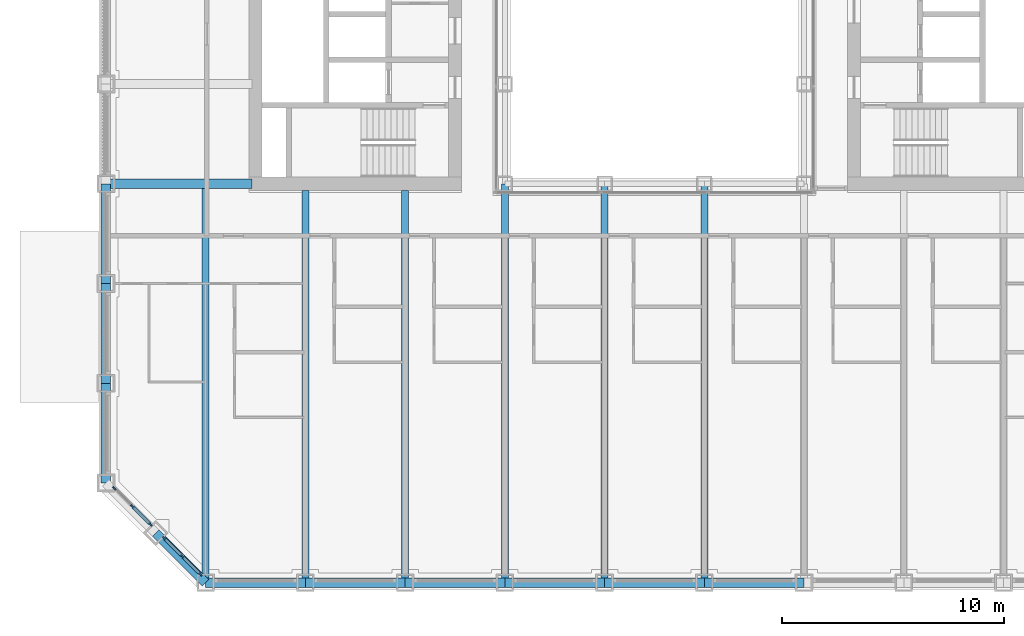
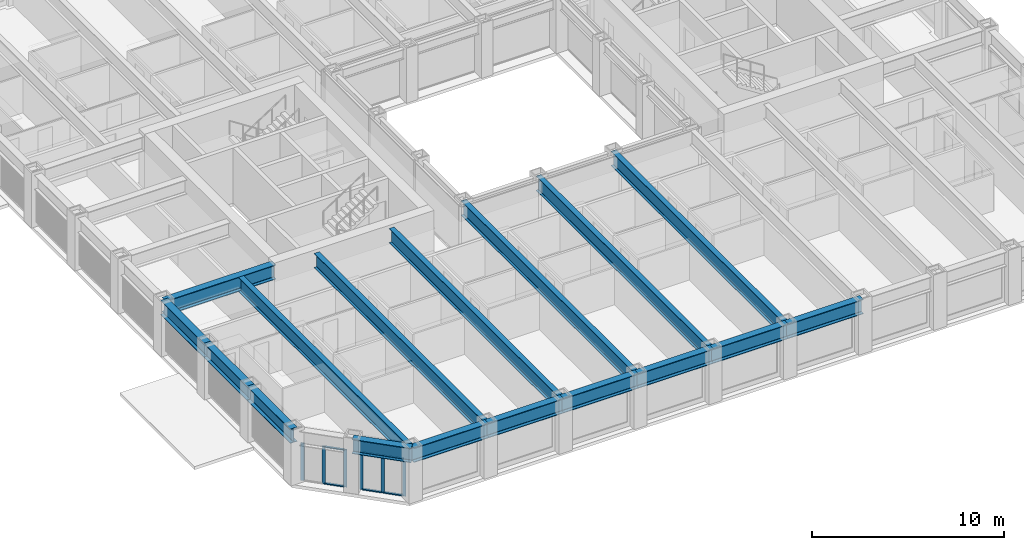
# One storey, part 2 of 24: 17 beams, 12 members, 2 elements without a shape of their own.
"""IFC4 building model written with IfcOpenShell, lengths in metres."""

from ifc_helpers import new_model, si_unit, direction, frame, origin, origin_2d, place, context, subcontext, project, spatial, rectangle, i_section, extrude, material, material_profile, profile_set, type_object, element, aggregate, save


model = new_model("IFC4")

# Units and contexts
model_context = context("Model", 3, precision=1e-05, world=origin(), true_north=direction((0.0, 1.0)))
body_context = subcontext(model_context, "Body", "Model", "MODEL_VIEW")
ifc_project = project(units=[si_unit("LENGTHUNIT", "METRE"), si_unit("AREAUNIT", "SQUARE_METRE"), si_unit("VOLUMEUNIT", "CUBIC_METRE"), si_unit("PLANEANGLEUNIT", "RADIAN"), si_unit("MASSUNIT", "GRAM", prefix="KILO")], contexts=[model_context])

# Site, building, storey
site_placement = place(None, origin())
site = spatial("IfcSite", under=ifc_project, at=site_placement, CompositionType="ELEMENT")
building_placement = place(site_placement, origin())
building = spatial("IfcBuilding", under=site, at=building_placement, Name="Msasa Ring Tower", CompositionType="ELEMENT")
storey_placement = place(building_placement, frame((0.0, 0.0, 26.5)))
storey = spatial("IfcBuildingStorey", under=building, at=storey_placement, Name="L05", CompositionType="ELEMENT", Elevation=26.5)

# Curtain wall, members
ifc_material_1 = material(Name="Aluminium curtain wall with clear glass", Category="aluminium")
curtain_wall_type = type_object("IfcCurtainWallType", Name="CW-C CHAMFER CORNER CURTAIN WALL", PredefinedType="NOTDEFINED", material=ifc_material_1)
curtain_wall_1_placement = place(storey_placement, origin())
curtain_wall_1 = element("IfcCurtainWall", 1, at=curtain_wall_1_placement, inside=storey, type_object=curtain_wall_type, Name="Chamfer corner curtain wall SW L05", PredefinedType="NOTDEFINED")
ifc_material_2 = material(Name="Aluminium mullion", Category="aluminium")
ifc_material_profile_1 = material_profile(ifc_material_2, rectangle(XDim=0.06494140625, YDim=0.179931640625, at=origin_2d()), Name="AL 65x180")
ifc_profile_set_1 = profile_set([ifc_material_profile_1], Name="Aluminium mullion")
member_type_1 = type_object("IfcMemberType", Name="CW-C MULLION 65x180", PredefinedType="MULLION", material=ifc_profile_set_1)
member_1_placement = place(storey_placement, frame((-24.369873046875, -20.48876953125, 0.0), z_axis=(0.0, 0.0, 1.0), x_axis=(0.707106781187, 0.707106781187, 0.0)))
member_1 = element("IfcMember", 2, at=member_1_placement, type_object=member_type_1, Name="CW-C mullion 1", PredefinedType="MULLION", context=body_context, shape_type="SweptSolid", body=[
    extrude(rectangle(XDim=0.06494140625, YDim=0.179931640625, at=origin_2d()), origin(), (0.0, 0.0, 1.0), 2.37890625),
])
member_2_placement = place(storey_placement, frame((-23.55419921875, -21.30419921875, 0.0), z_axis=(0.0, 0.0, 1.0), x_axis=(0.707106781187, 0.707106781187, 0.0)))
member_2 = element("IfcMember", 3, at=member_2_placement, type_object=member_type_1, Name="CW-C mullion 2", PredefinedType="MULLION", context=body_context, shape_type="SweptSolid", body=[
    extrude(rectangle(XDim=0.06494140625, YDim=0.179931640625, at=origin_2d()), origin(), (0.0, 0.0, 1.0), 2.37890625),
])
member_3_placement = place(storey_placement, frame((-22.73876953125, -22.119873046875, 0.0), z_axis=(0.0, 0.0, 1.0), x_axis=(0.707106781187, 0.707106781187, 0.0)))
member_3 = element("IfcMember", 4, at=member_3_placement, type_object=member_type_1, Name="CW-C mullion 3", PredefinedType="MULLION", context=body_context, shape_type="SweptSolid", body=[
    extrude(rectangle(XDim=0.06494140625, YDim=0.179931640625, at=origin_2d()), origin(), (0.0, 0.0, 1.0), 2.37890625),
])

curtain_wall_2_placement = place(storey_placement, origin())
curtain_wall_2 = element("IfcCurtainWall", 5, at=curtain_wall_2_placement, inside=storey, type_object=curtain_wall_type, Name="Chamfer corner curtain wall SW L05", PredefinedType="NOTDEFINED")
member_4_placement = place(storey_placement, frame((-22.119873046875, -22.73876953125, 0.0), z_axis=(0.0, 0.0, 1.0), x_axis=(0.707106781187, 0.707106781187, 0.0)))
member_4 = element("IfcMember", 6, at=member_4_placement, type_object=member_type_1, Name="CW-C mullion 1", PredefinedType="MULLION", context=body_context, shape_type="SweptSolid", body=[
    extrude(rectangle(XDim=0.06494140625, YDim=0.179931640625, at=origin_2d()), origin(), (0.0, 0.0, 1.0), 2.37890625),
])
member_5_placement = place(storey_placement, frame((-21.30419921875, -23.55419921875, 0.0), z_axis=(0.0, 0.0, 1.0), x_axis=(0.707106781187, 0.707106781187, 0.0)))
member_5 = element("IfcMember", 7, at=member_5_placement, type_object=member_type_1, Name="CW-C mullion 2", PredefinedType="MULLION", context=body_context, shape_type="SweptSolid", body=[
    extrude(rectangle(XDim=0.06494140625, YDim=0.179931640625, at=origin_2d()), origin(), (0.0, 0.0, 1.0), 2.37890625),
])
member_6_placement = place(storey_placement, frame((-20.48876953125, -24.369873046875, 0.0), z_axis=(0.0, 0.0, 1.0), x_axis=(0.707106781187, 0.707106781187, 0.0)))
member_6 = element("IfcMember", 8, at=member_6_placement, type_object=member_type_1, Name="CW-C mullion 3", PredefinedType="MULLION", context=body_context, shape_type="SweptSolid", body=[
    extrude(rectangle(XDim=0.06494140625, YDim=0.179931640625, at=origin_2d()), origin(), (0.0, 0.0, 1.0), 2.37890625),
])

# Member
ifc_material_3 = material(Name="Aluminium transom", Category="aluminium")
ifc_material_profile_2 = material_profile(ifc_material_3, rectangle(XDim=0.139892578125, YDim=0.06494140625, at=origin_2d()), Name="AL 65x140")
ifc_profile_set_2 = profile_set([ifc_material_profile_2], Name="Aluminium transom")
member_type_2 = type_object("IfcMemberType", Name="CW-C TRANSOM 65x140", PredefinedType="USERDEFINED", material=ifc_profile_set_2)
member_7_placement = place(storey_placement, frame((-23.53125, -21.327392578125, 0.032470703125), z_axis=(0.707106781187, -0.707106781187, 0.0), x_axis=(0.707106781187, 0.707106781187, 0.0)))
member_7 = element("IfcMember", 9, at=member_7_placement, type_object=member_type_2, Name="CW-C transom 2.1", ObjectType="TRANSOM", PredefinedType="USERDEFINED", context=body_context, shape_type="SweptSolid", body=[
    extrude(rectangle(XDim=0.139892578125, YDim=0.06494140625, at=origin_2d()), origin(), (0.0, 0.0, 1.0), 1.08837890625),
])

member_8_placement = place(storey_placement, frame((-23.53125, -21.327392578125, 2.346435546875), z_axis=(0.707106781187, -0.707106781187, 0.0), x_axis=(0.707106781187, 0.707106781187, 0.0)))
member_8 = element("IfcMember", 10, at=member_8_placement, type_object=member_type_2, Name="CW-C transom 2.2", ObjectType="TRANSOM", PredefinedType="USERDEFINED", context=body_context, shape_type="SweptSolid", body=[
    extrude(rectangle(XDim=0.139892578125, YDim=0.06494140625, at=origin_2d()), origin(), (0.0, 0.0, 1.0), 1.08837890625),
])

aggregate(curtain_wall_1, [member_1, member_2, member_3, member_7, member_8])

member_9_placement = place(storey_placement, frame((-22.096923828125, -22.76171875, 0.032470703125), z_axis=(0.707106781187, -0.707106781187, 0.0), x_axis=(0.707106781187, 0.707106781187, 0.0)))
member_9 = element("IfcMember", 11, at=member_9_placement, type_object=member_type_2, Name="CW-C transom 1.1", ObjectType="TRANSOM", PredefinedType="USERDEFINED", context=body_context, shape_type="SweptSolid", body=[
    extrude(rectangle(XDim=0.139892578125, YDim=0.06494140625, at=origin_2d()), origin(), (0.0, 0.0, 1.0), 1.08837890625),
])

member_10_placement = place(storey_placement, frame((-22.096923828125, -22.76171875, 2.346435546875), z_axis=(0.707106781187, -0.707106781187, 0.0), x_axis=(0.707106781187, 0.707106781187, 0.0)))
member_10 = element("IfcMember", 12, at=member_10_placement, type_object=member_type_2, Name="CW-C transom 1.2", ObjectType="TRANSOM", PredefinedType="USERDEFINED", context=body_context, shape_type="SweptSolid", body=[
    extrude(rectangle(XDim=0.139892578125, YDim=0.06494140625, at=origin_2d()), origin(), (0.0, 0.0, 1.0), 1.08837890625),
])

member_11_placement = place(storey_placement, frame((-21.28125, -23.577392578125, 0.032470703125), z_axis=(0.707106781187, -0.707106781187, 0.0), x_axis=(0.707106781187, 0.707106781187, 0.0)))
member_11 = element("IfcMember", 13, at=member_11_placement, type_object=member_type_2, Name="CW-C transom 2.1", ObjectType="TRANSOM", PredefinedType="USERDEFINED", context=body_context, shape_type="SweptSolid", body=[
    extrude(rectangle(XDim=0.139892578125, YDim=0.06494140625, at=origin_2d()), origin(), (0.0, 0.0, 1.0), 1.08837890625),
])

member_12_placement = place(storey_placement, frame((-21.28125, -23.577392578125, 2.346435546875), z_axis=(0.707106781187, -0.707106781187, 0.0), x_axis=(0.707106781187, 0.707106781187, 0.0)))
member_12 = element("IfcMember", 14, at=member_12_placement, type_object=member_type_2, Name="CW-C transom 2.2", ObjectType="TRANSOM", PredefinedType="USERDEFINED", context=body_context, shape_type="SweptSolid", body=[
    extrude(rectangle(XDim=0.139892578125, YDim=0.06494140625, at=origin_2d()), origin(), (0.0, 0.0, 1.0), 1.08837890625),
])

aggregate(curtain_wall_2, [member_4, member_5, member_6, member_9, member_10, member_11, member_12])

# Beams
ifc_material_4 = material(Name="Steel S355", Category="steel")
ifc_material_profile_3 = material_profile(ifc_material_4, i_section(OverallWidth=0.3076171875, OverallDepth=0.926513671875, WebThickness=0.01953125, FlangeThickness=0.031982421875, FilletRadius=0.01904296875, at=origin_2d()), Name="UB 914x305x289")
ifc_profile_set_3 = profile_set([ifc_material_profile_3], Name="Steel S355")
beam_type_1 = type_object("IfcBeamType", Name="FB3 UB 914x305x289", PredefinedType="BEAM", material=ifc_profile_set_3)
beam_1_placement = place(storey_placement, frame((-20.25, -24.75, 2.836669921875), z_axis=(0.0, 1.0, 0.0), x_axis=(-1.0, 0.0, 0.0)))
element("IfcBeam", 15, at=beam_1_placement, inside=storey, type_object=beam_type_1, Name="Floor beam S-20.25 under L06", PredefinedType="BEAM", context=body_context, shape_type="SweptSolid", body=[
    extrude(i_section(OverallWidth=0.3076171875, OverallDepth=0.926513671875, WebThickness=0.01953125, FlangeThickness=0.031982421875, FilletRadius=0.01904296875, at=origin_2d()), origin(), (0.0, 0.0, 1.0), 17.789794921875),
])
for number, where, z_axis, x_axis, name in (
    (16, (-15.75, -24.75, 2.836669921875), (0.0, 1.0, 0.0), (-1.0, 0.0, 0.0), "Floor beam S-15.75 under L06"),
    (17, (-11.25, -24.75, 2.836669921875), (0.0, 1.0, 0.0), (-1.0, 0.0, 0.0), "Floor beam S-11.25 under L06"),
):
    element("IfcBeam", number, at=place(storey_placement, frame(where, z_axis=z_axis, x_axis=x_axis)), inside=storey, type_object=beam_type_1, Name=name, PredefinedType="BEAM", context=body_context, shape_type="SweptSolid", body=[
        extrude(i_section(OverallWidth=0.3076171875, OverallDepth=0.926513671875, WebThickness=0.01953125, FlangeThickness=0.031982421875, FilletRadius=0.01904296875, at=origin_2d()), origin(), (0.0, 0.0, 1.0), 17.699951171875),
    ])
for number, where, z_axis, x_axis, name in (
    (18, (-6.75, -24.75, 2.836669921875), (0.0, 1.0, 0.0), (-1.0, 0.0, 0.0), "Floor beam S-6.75 under L06"),
    (19, (-2.25, -24.75, 2.836669921875), (0.0, 1.0, 0.0), (-1.0, 0.0, 0.0), "Floor beam S-2.25 under L06"),
    (20, (2.25, -24.75, 2.836669921875), (0.0, 1.0, 0.0), (-1.0, 0.0, 0.0), "Floor beam S+2.25 under L06"),
):
    element("IfcBeam", number, at=place(storey_placement, frame(where, z_axis=z_axis, x_axis=x_axis)), inside=storey, type_object=beam_type_1, Name=name, PredefinedType="BEAM", context=body_context, shape_type="SweptSolid", body=[
        extrude(i_section(OverallWidth=0.3076171875, OverallDepth=0.926513671875, WebThickness=0.01953125, FlangeThickness=0.031982421875, FilletRadius=0.01904296875, at=origin_2d()), origin(), (0.0, 0.0, 1.0), 18.0),
    ])
ifc_material_5 = material(Name="Steel S355", Category="steel")
ifc_material_profile_4 = material_profile(ifc_material_5, i_section(OverallWidth=0.42041015625, OverallDepth=0.9208984375, WebThickness=0.021484375, FlangeThickness=0.03662109375, FilletRadius=0.024169921875, at=origin_2d()), Name="UB 914x419x388")
ifc_profile_set_4 = profile_set([ifc_material_profile_4], Name="Steel S355")
beam_type_2 = type_object("IfcBeamType", Name="GB1 UB 914x419x388", PredefinedType="BEAM", material=ifc_profile_set_4)
beam_2_placement = place(storey_placement, frame((-18.14990234375, -6.75, 2.839599609375), z_axis=(-1.0, 0.0, 0.0), x_axis=(0.0, -1.0, 0.0)))
element("IfcBeam", 21, at=beam_2_placement, inside=storey, type_object=beam_type_2, Name="Girder W -6.75 under L06", PredefinedType="BEAM", context=body_context, shape_type="SweptSolid", body=[
    extrude(i_section(OverallWidth=0.42041015625, OverallDepth=0.9208984375, WebThickness=0.021484375, FlangeThickness=0.03662109375, FilletRadius=0.024169921875, at=origin_2d()), origin(), (0.0, 0.0, 1.0), 6.60009765625),
])
ifc_material_6 = material(Name="Steel S355", Category="steel")
ifc_material_profile_5 = material_profile(ifc_material_6, i_section(OverallWidth=0.42041015625, OverallDepth=0.9208984375, WebThickness=0.021484375, FlangeThickness=0.03662109375, FilletRadius=0.024169921875, at=origin_2d()), Name="UB 914x419x388")
ifc_profile_set_5 = profile_set([ifc_material_profile_5], Name="Steel S355")
beam_type_3 = type_object("IfcBeamType", Name="SB1 UB 914x419x388", PredefinedType="SPANDREL", material=ifc_profile_set_5)
for number, where, z_axis, x_axis, name in (
    (22, (-24.75, -6.75, 2.839599609375), (0.0, -1.0, 0.0), (1.0, 0.0, 0.0), "Spandrel W-6.75 to W-11.25 under L06"),
    (23, (-24.75, -11.25, 2.839599609375), (0.0, -1.0, 0.0), (1.0, 0.0, 0.0), "Spandrel W-11.25 to W-15.75 under L06"),
    (24, (-24.75, -15.75, 2.839599609375), (0.0, -1.0, 0.0), (1.0, 0.0, 0.0), "Spandrel W-15.75 to W-20.25 under L06"),
):
    element("IfcBeam", number, at=place(storey_placement, frame(where, z_axis=z_axis, x_axis=x_axis)), inside=storey, type_object=beam_type_3, Name=name, PredefinedType="SPANDREL", context=body_context, shape_type="SweptSolid", body=[
        extrude(i_section(OverallWidth=0.42041015625, OverallDepth=0.9208984375, WebThickness=0.021484375, FlangeThickness=0.03662109375, FilletRadius=0.024169921875, at=origin_2d()), origin(), (0.0, 0.0, 1.0), 4.5),
    ])
beam_3_placement = place(storey_placement, frame((-22.5, -22.5, 2.839599609375), z_axis=(0.707106781187, -0.707106781187, 0.0), x_axis=(0.707106781187, 0.707106781187, 0.0)))
element("IfcBeam", 25, at=beam_3_placement, inside=storey, type_object=beam_type_3, Name="Spandrel SW to S-20.25 under L06", PredefinedType="SPANDREL", context=body_context, shape_type="SweptSolid", body=[
    extrude(i_section(OverallWidth=0.42041015625, OverallDepth=0.9208984375, WebThickness=0.021484375, FlangeThickness=0.03662109375, FilletRadius=0.024169921875, at=origin_2d()), origin(), (0.0, 0.0, 1.0), 3.181884765625),
])
for number, where, z_axis, x_axis, name in (
    (26, (-20.25, -24.75, 2.839599609375), (1.0, 0.0, 0.0), (0.0, 1.0, 0.0), "Spandrel S-20.25 to S-15.75 under L06"),
    (27, (-15.75, -24.75, 2.839599609375), (1.0, 0.0, 0.0), (0.0, 1.0, 0.0), "Spandrel S-15.75 to S-11.25 under L06"),
    (28, (-11.25, -24.75, 2.839599609375), (1.0, 0.0, 0.0), (0.0, 1.0, 0.0), "Spandrel S-11.25 to S-6.75 under L06"),
    (29, (-6.75, -24.75, 2.839599609375), (1.0, 0.0, 0.0), (0.0, 1.0, 0.0), "Spandrel S-6.75 to S-2.25 under L06"),
    (30, (-2.25, -24.75, 2.839599609375), (1.0, 0.0, 0.0), (0.0, 1.0, 0.0), "Spandrel S-2.25 to S+2.25 under L06"),
    (31, (2.25, -24.75, 2.839599609375), (1.0, 0.0, 0.0), (0.0, 1.0, 0.0), "Spandrel S+2.25 to S+6.75 under L06"),
):
    element("IfcBeam", number, at=place(storey_placement, frame(where, z_axis=z_axis, x_axis=x_axis)), inside=storey, type_object=beam_type_3, Name=name, PredefinedType="SPANDREL", context=body_context, shape_type="SweptSolid", body=[
        extrude(i_section(OverallWidth=0.42041015625, OverallDepth=0.9208984375, WebThickness=0.021484375, FlangeThickness=0.03662109375, FilletRadius=0.024169921875, at=origin_2d()), origin(), (0.0, 0.0, 1.0), 4.5),
    ])

save(model, "model.ifc")
